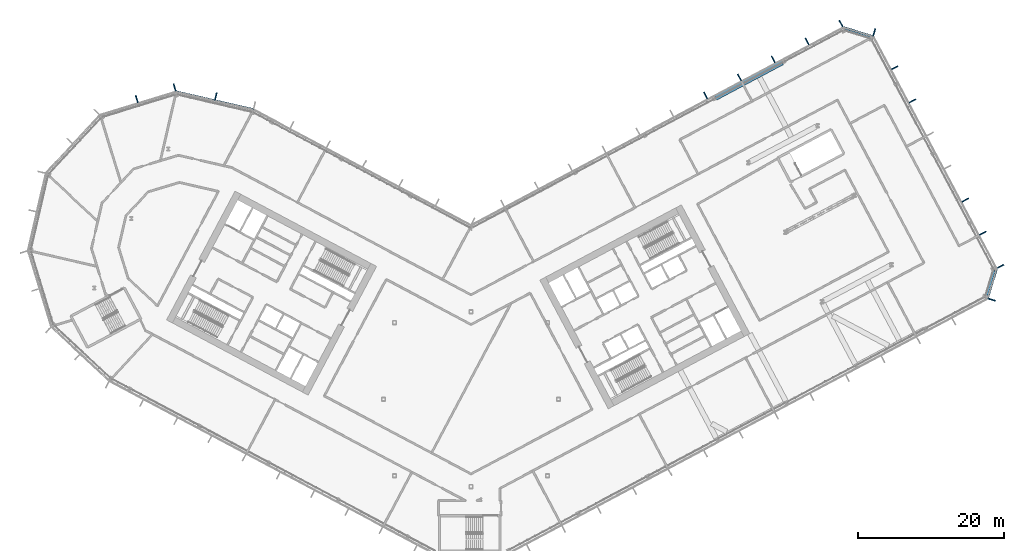
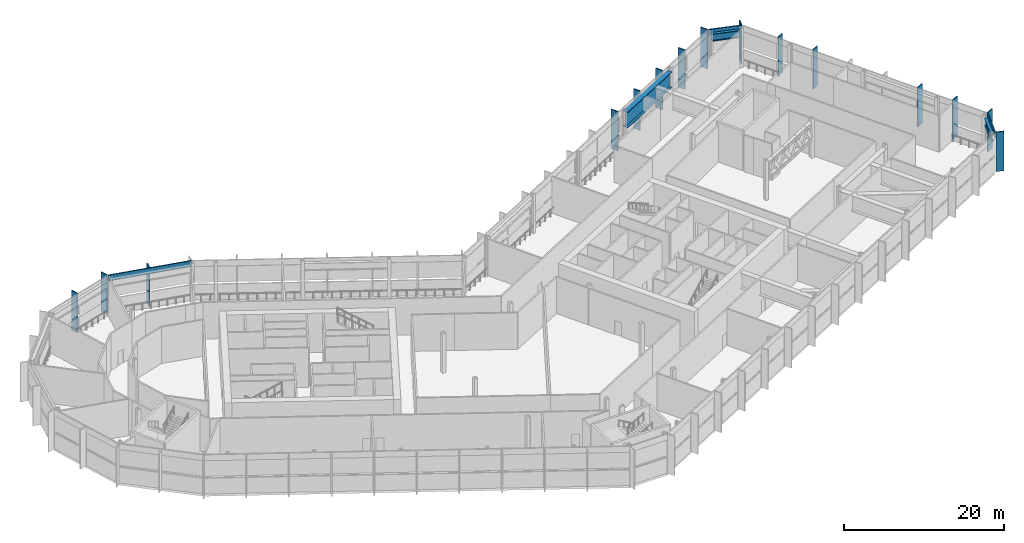
# One storey, part 10 of 33: 18 members, 3 beams, 6 elements without a shape of their own.
"""IFC4 building model written with IfcOpenShell, lengths in metres."""

from ifc_helpers import new_model, si_unit, direction, frame, origin, origin_2d, place, context, subcontext, project, spatial, rectangle, i_section, extrude, material, layer, layer_set, material_profile, profile_set, type_object, element, aggregate, save


model = new_model("IFC4")

# Units and contexts
model_context = context("Model", 3, precision=1e-05, world=origin(), true_north=direction((0.0, 1.0)))
body_context = subcontext(model_context, "Body", "Model", "MODEL_VIEW")
ifc_project = project(units=[si_unit("LENGTHUNIT", "METRE"), si_unit("AREAUNIT", "SQUARE_METRE"), si_unit("VOLUMEUNIT", "CUBIC_METRE"), si_unit("PLANEANGLEUNIT", "RADIAN"), si_unit("MASSUNIT", "GRAM", prefix="KILO")], contexts=[model_context])

# Site, building, storey
site_placement = place(None, origin())
site = spatial("IfcSite", under=ifc_project, at=site_placement, CompositionType="ELEMENT")
building_placement = place(site_placement, origin())
building = spatial("IfcBuilding", under=site, at=building_placement, Name="Cormorant Relay Tower", CompositionType="ELEMENT")
storey_placement = place(building_placement, frame((0.0, 0.0, 112.199951171875)))
storey = spatial("IfcBuildingStorey", under=building, at=storey_placement, Name="L22", CompositionType="ELEMENT", Elevation=112.199951171875)

# Curtain wall, member
ifc_material_1 = material(Name="Aluminium 6063-T6 anodised bronze", Category="aluminium")
ifc_layer = layer(ifc_material_1, 0.199951171875)
ifc_layer_set = layer_set([ifc_layer], Name="CW4 band louvre wall")
curtain_wall_type = type_object("IfcCurtainWallType", Name="CW4 band louvre wall", PredefinedType="NOTDEFINED", material=ifc_layer_set)
curtain_wall_1_placement = place(storey_placement, origin())
curtain_wall_1 = element("IfcCurtainWall", 1, at=curtain_wall_1_placement, inside=storey, type_object=curtain_wall_type, Name="CW4 curtain wall 3", PredefinedType="NOTDEFINED")
ifc_material_2 = material(Name="Aluminium 6063-T6 anodised bronze", Category="aluminium")
ifc_material_profile_1 = material_profile(ifc_material_2, rectangle(XDim=0.14990234375, YDim=1.0, at=origin_2d()), Name="AL 150x1000")
ifc_profile_set_1 = profile_set([ifc_material_profile_1], Name="Aluminium 6063-T6 anodised bronze")
member_type_1 = type_object("IfcMemberType", Name="CW4 bronze fin mullion 150 x 1000", PredefinedType="MULLION", material=ifc_profile_set_1)
member_1_placement = place(storey_placement, frame((71.45166015625, 13.64697265625, 0.0), z_axis=(0.0, 0.0, 1.0), x_axis=(0.292371704723, 0.956304755963, 0.0)))
member_1 = element("IfcMember", 2, at=member_1_placement, type_object=member_type_1, Name="CW4 fin 3.1", PredefinedType="MULLION", context=body_context, shape_type="SweptSolid", body=[
    extrude(rectangle(XDim=0.14990234375, YDim=1.0, at=origin_2d()), origin(), (0.0, 0.0, 1.0), 6.0),
])

# Curtain wall, members
curtain_wall_2_placement = place(storey_placement, origin())
curtain_wall_2 = element("IfcCurtainWall", 3, at=curtain_wall_2_placement, inside=storey, type_object=curtain_wall_type, Name="CW4 curtain wall 4", PredefinedType="NOTDEFINED")
member_2_placement = place(storey_placement, frame((72.640869140625, 18.237548828125, 0.0), z_axis=(0.0, 0.0, 1.0), x_axis=(-0.469471562786, 0.882947592859, 0.0)))
member_2 = element("IfcMember", 4, at=member_2_placement, type_object=member_type_1, Name="CW4 fin 4.1", PredefinedType="MULLION", context=body_context, shape_type="SweptSolid", body=[
    extrude(rectangle(XDim=0.14990234375, YDim=1.0, at=origin_2d()), origin(), (0.0, 0.0, 1.0), 6.0),
])
member_3_placement = place(storey_placement, frame((70.226318359375, 22.7783203125, 0.0), z_axis=(0.0, 0.0, 1.0), x_axis=(-0.469471562786, 0.882947592859, 0.0)))
member_3 = element("IfcMember", 5, at=member_3_placement, type_object=member_type_1, Name="CW4 fin 4.2", PredefinedType="MULLION", context=body_context, shape_type="SweptSolid", body=[
    extrude(rectangle(XDim=0.14990234375, YDim=1.0, at=origin_2d()), origin(), (0.0, 0.0, 1.0), 6.0),
])
member_4_placement = place(storey_placement, frame((67.81201171875, 27.3193359375, 0.0), z_axis=(0.0, 0.0, 1.0), x_axis=(-0.469471562786, 0.882947592859, 0.0)))
member_4 = element("IfcMember", 6, at=member_4_placement, type_object=member_type_1, Name="CW4 fin 4.3", PredefinedType="MULLION", context=body_context, shape_type="SweptSolid", body=[
    extrude(rectangle(XDim=0.14990234375, YDim=1.0, at=origin_2d()), origin(), (0.0, 0.0, 1.0), 6.0),
])
member_5_placement = place(storey_placement, frame((60.568603515625, 40.94189453125, 0.0), z_axis=(0.0, 0.0, 1.0), x_axis=(-0.469471562786, 0.882947592859, 0.0)))
member_5 = element("IfcMember", 7, at=member_5_placement, type_object=member_type_1, Name="CW4 fin 4.6", PredefinedType="MULLION", context=body_context, shape_type="SweptSolid", body=[
    extrude(rectangle(XDim=0.14990234375, YDim=1.0, at=origin_2d()), origin(), (0.0, 0.0, 1.0), 6.0),
])
member_6_placement = place(storey_placement, frame((58.154296875, 45.48291015625, 0.0), z_axis=(0.0, 0.0, 1.0), x_axis=(-0.469471562786, 0.882947592859, 0.0)))
member_6 = element("IfcMember", 8, at=member_6_placement, type_object=member_type_1, Name="CW4 fin 4.7", PredefinedType="MULLION", context=body_context, shape_type="SweptSolid", body=[
    extrude(rectangle(XDim=0.14990234375, YDim=1.0, at=origin_2d()), origin(), (0.0, 0.0, 1.0), 6.0),
])
aggregate(curtain_wall_2, [member_2, member_3, member_4, member_5, member_6])

# Curtain wall, member
curtain_wall_3_placement = place(storey_placement, origin())
curtain_wall_3 = element("IfcCurtainWall", 9, at=curtain_wall_3_placement, inside=storey, type_object=curtain_wall_type, Name="CW4 curtain wall 5", PredefinedType="NOTDEFINED")
member_7_placement = place(storey_placement, frame((55.326416015625, 50.364501953125, 0.0), z_axis=(0.0, 0.0, 1.0), x_axis=(-0.956304755963, 0.292371704723, 0.0)))
member_7 = element("IfcMember", 10, at=member_7_placement, type_object=member_type_1, Name="CW4 fin 5.1", PredefinedType="MULLION", context=body_context, shape_type="SweptSolid", body=[
    extrude(rectangle(XDim=0.14990234375, YDim=1.0, at=origin_2d()), origin(), (0.0, 0.0, 1.0), 6.0),
])

# Curtain wall, members
curtain_wall_4_placement = place(storey_placement, origin())
curtain_wall_4 = element("IfcCurtainWall", 11, at=curtain_wall_4_placement, inside=storey, type_object=curtain_wall_type, Name="CW4 curtain wall 6", PredefinedType="NOTDEFINED")
member_8_placement = place(storey_placement, frame((50.73583984375, 51.553466796875, 0.0), z_axis=(0.0, 0.0, 1.0), x_axis=(-0.882947592859, -0.469471562786, 0.0)))
member_8 = element("IfcMember", 12, at=member_8_placement, type_object=member_type_1, Name="CW4 fin 6.1", PredefinedType="MULLION", context=body_context, shape_type="SweptSolid", body=[
    extrude(rectangle(XDim=0.14990234375, YDim=1.0, at=origin_2d()), origin(), (0.0, 0.0, 1.0), 6.0),
])
member_9_placement = place(storey_placement, frame((46.093505859375, 49.085205078125, 0.0), z_axis=(0.0, 0.0, 1.0), x_axis=(-0.882947592859, -0.469471562786, 0.0)))
member_9 = element("IfcMember", 13, at=member_9_placement, type_object=member_type_1, Name="CW4 fin 6.2", PredefinedType="MULLION", context=body_context, shape_type="SweptSolid", body=[
    extrude(rectangle(XDim=0.14990234375, YDim=1.0, at=origin_2d()), origin(), (0.0, 0.0, 1.0), 6.0),
])
member_10_placement = place(storey_placement, frame((41.451416015625, 46.616943359375, 0.0), z_axis=(0.0, 0.0, 1.0), x_axis=(-0.882947592859, -0.469471562786, 0.0)))
member_10 = element("IfcMember", 14, at=member_10_placement, type_object=member_type_1, Name="CW4 fin 6.3", PredefinedType="MULLION", context=body_context, shape_type="SweptSolid", body=[
    extrude(rectangle(XDim=0.14990234375, YDim=1.0, at=origin_2d()), origin(), (0.0, 0.0, 1.0), 6.0),
])
member_11_placement = place(storey_placement, frame((36.80908203125, 44.148681640625, 0.0), z_axis=(0.0, 0.0, 1.0), x_axis=(-0.882947592859, -0.469471562786, 0.0)))
member_11 = element("IfcMember", 15, at=member_11_placement, type_object=member_type_1, Name="CW4 fin 6.4", PredefinedType="MULLION", context=body_context, shape_type="SweptSolid", body=[
    extrude(rectangle(XDim=0.14990234375, YDim=1.0, at=origin_2d()), origin(), (0.0, 0.0, 1.0), 6.0),
])
member_12_placement = place(storey_placement, frame((32.1669921875, 41.68017578125, 0.0), z_axis=(0.0, 0.0, 1.0), x_axis=(-0.882947592859, -0.469471562786, 0.0)))
member_12 = element("IfcMember", 16, at=member_12_placement, type_object=member_type_1, Name="CW4 fin 6.5", PredefinedType="MULLION", context=body_context, shape_type="SweptSolid", body=[
    extrude(rectangle(XDim=0.14990234375, YDim=1.0, at=origin_2d()), origin(), (0.0, 0.0, 1.0), 6.0),
])
aggregate(curtain_wall_4, [member_8, member_9, member_10, member_11, member_12])

# Curtain wall, member
curtain_wall_5_placement = place(storey_placement, origin())
curtain_wall_5 = element("IfcCurtainWall", 17, at=curtain_wall_5_placement, inside=storey, type_object=curtain_wall_type, Name="CW4 curtain wall 8", PredefinedType="NOTDEFINED")
member_13_placement = place(storey_placement, frame((-35.01220703125, 41.57275390625, 0.0), z_axis=(0.0, 0.0, 1.0), x_axis=(-0.974370064785, 0.224951054344, 0.0)))
member_13 = element("IfcMember", 18, at=member_13_placement, type_object=member_type_1, Name="CW4 fin 8.2", PredefinedType="MULLION", context=body_context, shape_type="SweptSolid", body=[
    extrude(rectangle(XDim=0.14990234375, YDim=1.0, at=origin_2d()), origin(), (0.0, 0.0, 1.0), 6.0),
])

# Curtain wall, members
curtain_wall_6_placement = place(storey_placement, origin())
curtain_wall_6 = element("IfcCurtainWall", 19, at=curtain_wall_6_placement, inside=storey, type_object=curtain_wall_type, Name="CW4 curtain wall 9", PredefinedType="NOTDEFINED")
member_14_placement = place(storey_placement, frame((-40.670166015625, 42.78271484375, 0.0), z_axis=(0.0, 0.0, 1.0), x_axis=(-0.956304755963, -0.292371704723, 0.0)))
member_14 = element("IfcMember", 20, at=member_14_placement, type_object=member_type_1, Name="CW4 fin 9.1", PredefinedType="MULLION", context=body_context, shape_type="SweptSolid", body=[
    extrude(rectangle(XDim=0.14990234375, YDim=1.0, at=origin_2d()), origin(), (0.0, 0.0, 1.0), 6.0),
])
member_15_placement = place(storey_placement, frame((-45.867919921875, 41.193603515625, 0.0), z_axis=(0.0, 0.0, 1.0), x_axis=(-0.956304755963, -0.292371704723, 0.0)))
member_15 = element("IfcMember", 21, at=member_15_placement, type_object=member_type_1, Name="CW4 fin 9.2", PredefinedType="MULLION", context=body_context, shape_type="SweptSolid", body=[
    extrude(rectangle(XDim=0.14990234375, YDim=1.0, at=origin_2d()), origin(), (0.0, 0.0, 1.0), 6.0),
])
aggregate(curtain_wall_6, [member_14, member_15])

# Member
ifc_material_3 = material(Name="Aluminium 6063-T6 anodised bronze", Category="aluminium")
ifc_material_profile_2 = material_profile(ifc_material_3, rectangle(XDim=0.159912109375, YDim=0.89990234375, at=origin_2d()), Name="AL 160x900")
ifc_profile_set_2 = profile_set([ifc_material_profile_2], Name="Aluminium 6063-T6 anodised bronze")
member_type_2 = type_object("IfcMemberType", Name="CW4 bronze transom 160 x 900", PredefinedType="USERDEFINED", material=ifc_profile_set_2)
member_16_placement = place(storey_placement, frame((70.89697265625, 13.816650390625, 5.550048828125), z_axis=(0.292391046905, 0.95629884225, 0.0), x_axis=(-0.95629884225, 0.292391046905, 0.0)))
member_16 = element("IfcMember", 22, at=member_16_placement, type_object=member_type_2, Name="CW4 transom 3", ObjectType="TRANSOM", PredefinedType="USERDEFINED", context=body_context, shape_type="SweptSolid", body=[
    extrude(rectangle(XDim=0.159912109375, YDim=0.89990234375, at=origin_2d()), origin(), (0.0, 0.0, 1.0), 4.242431640625),
])

aggregate(curtain_wall_1, [member_1, member_16])

member_17_placement = place(storey_placement, frame((55.15673828125, 49.809814453125, 5.550048828125), z_axis=(-0.95629884225, 0.292391046905, 0.0), x_axis=(-0.292391046905, -0.95629884225, 0.0)))
member_17 = element("IfcMember", 23, at=member_17_placement, type_object=member_type_2, Name="CW4 transom 5", ObjectType="TRANSOM", PredefinedType="USERDEFINED", context=body_context, shape_type="SweptSolid", body=[
    extrude(rectangle(XDim=0.159912109375, YDim=0.89990234375, at=origin_2d()), origin(), (0.0, 0.0, 1.0), 4.242431640625),
])

aggregate(curtain_wall_3, [member_7, member_17])

member_18_placement = place(storey_placement, frame((-29.8466796875, 39.784912109375, 5.550048828125), z_axis=(-0.974365070969, 0.224972683844, 0.0), x_axis=(-0.224972683844, -0.974365070969, 0.0)))
member_18 = element("IfcMember", 24, at=member_18_placement, type_object=member_type_2, Name="CW4 transom 8", ObjectType="TRANSOM", PredefinedType="USERDEFINED", context=body_context, shape_type="SweptSolid", body=[
    extrude(rectangle(XDim=0.159912109375, YDim=0.89990234375, at=origin_2d()), origin(), (0.0, 0.0, 1.0), 10.870361328125),
])

aggregate(curtain_wall_5, [member_13, member_18])

# Beams
ifc_material_4 = material(Name="Steel ASTM A992 (Fy 345 MPa)", Category="steel")
ifc_material_profile_3 = material_profile(ifc_material_4, i_section(OverallWidth=0.40380859375, OverallDepth=1.11767578125, WebThickness=0.026123046875, FlangeThickness=0.044921875, FilletRadius=0.02001953125, at=origin_2d()), Name="W1100x499")
ifc_profile_set_3 = profile_set([ifc_material_profile_3], Name="Steel ASTM A992 (Fy 345 MPa)")
beam_type_1 = type_object("IfcBeamType", Name="Spandrel W1100x499", PredefinedType="SPANDREL", material=ifc_profile_set_3)
for number, where, z_axis, x_axis, name in (
    (25, (70.6943359375, 14.255126953125, 4.9912109375), (0.292423449705, 0.956288934403, 0.0), (-0.956288934403, 0.292423449705, 0.0), "Spandrel beam L22-002"),
    (26, (54.718017578125, 49.607421875, 4.9912109375), (-0.956308047674, 0.292360937806, 0.0), (-0.292360937806, -0.956308047674, 0.0), "Spandrel beam L22-004"),
):
    element("IfcBeam", number, at=place(storey_placement, frame(where, z_axis=z_axis, x_axis=x_axis)), inside=storey, type_object=beam_type_1, Name=name, PredefinedType="SPANDREL", context=body_context, shape_type="SweptSolid", body=[
        extrude(i_section(OverallWidth=0.40380859375, OverallDepth=1.11767578125, WebThickness=0.026123046875, FlangeThickness=0.044921875, FilletRadius=0.02001953125, at=origin_2d()), origin(), (0.0, 0.0, 1.0), 3.571533203125),
    ])
ifc_material_5 = material(Name="Steel ASTM A572 Grade 50 (Fy 345 MPa)", Category="steel")
ifc_material_profile_4 = material_profile(ifc_material_5, i_section(OverallWidth=0.699951171875, OverallDepth=2.39990234375, WebThickness=0.030029296875, FlangeThickness=0.070068359375, at=origin_2d()), Name="PG2400x700")
ifc_profile_set_4 = profile_set([ifc_material_profile_4], Name="Steel ASTM A572 Grade 50 (Fy 345 MPa)")
beam_type_2 = type_object("IfcBeamType", Name="Transfer girder PG2400x700", PredefinedType="BEAM", material=ifc_profile_set_4)
beam_placement = place(storey_placement, frame((33.529296875, 41.339599609375, 4.35009765625), z_axis=(0.88294046799, 0.469484962471, 0.0), x_axis=(-0.469484962471, 0.88294046799, 0.0)))
element("IfcBeam", 27, at=beam_placement, inside=storey, type_object=beam_type_2, Name="Transfer girder L22-02", PredefinedType="BEAM", context=body_context, shape_type="SweptSolid", body=[
    extrude(i_section(OverallWidth=0.699951171875, OverallDepth=2.39990234375, WebThickness=0.030029296875, FlangeThickness=0.070068359375, at=origin_2d()), origin(), (0.0, 0.0, 1.0), 10.375),
])

save(model, "model.ifc")
